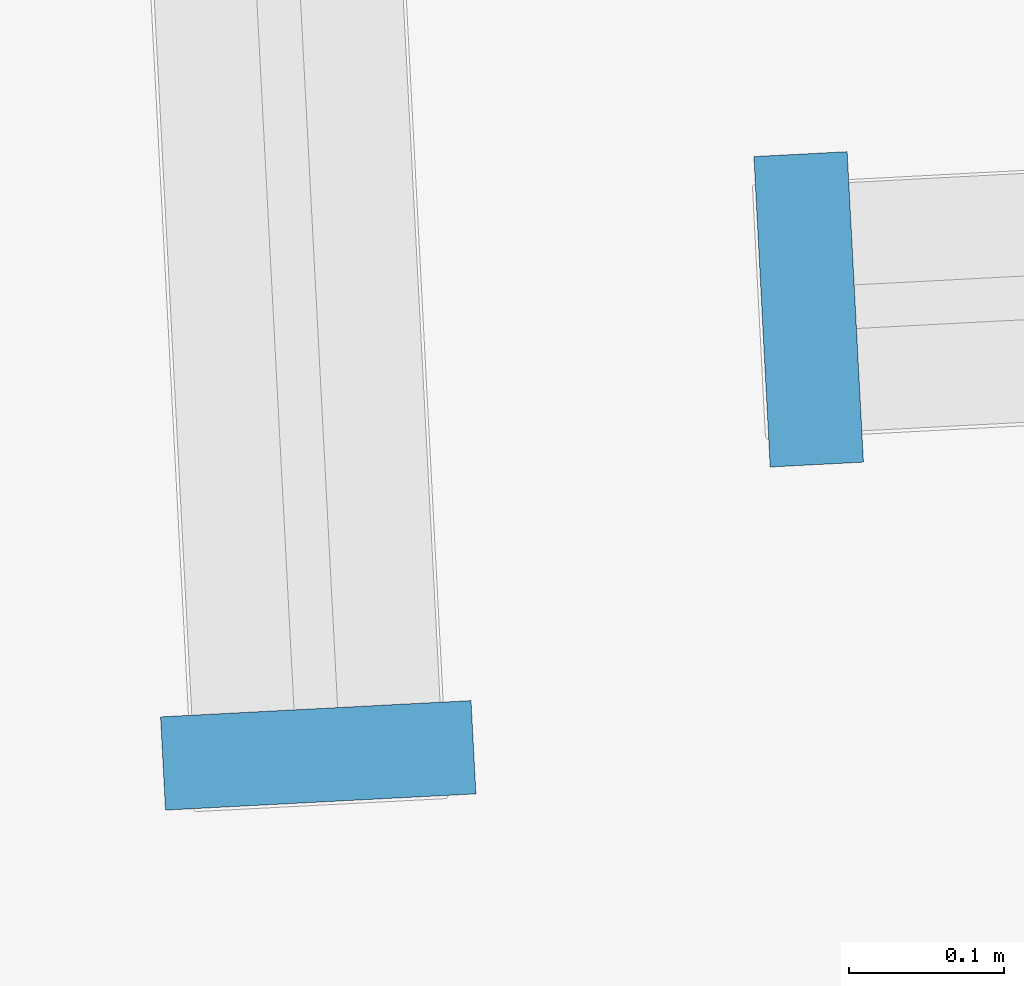
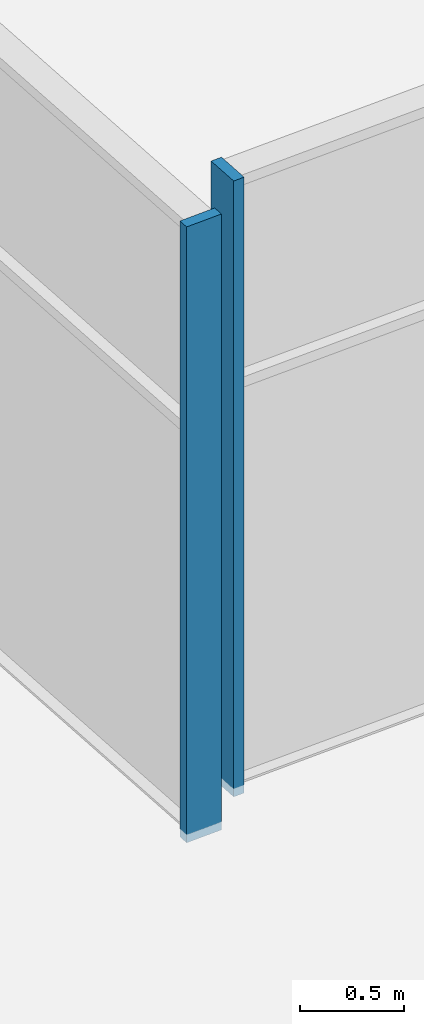
# One storey, part 2 of 12: 2 members, 2 elements without a shape of their own.
"""IFC4 building model written with IfcOpenShell, lengths in metres."""

from ifc_helpers import new_model, si_unit, direction, frame, origin, origin_2d, place, context, subcontext, project, spatial, rectangle, extrude, material, material_profile, profile_set, type_object, element, aggregate, save


model = new_model("IFC4")

# Units and contexts
model_context = context("Model", 3, precision=1e-05, world=origin(), true_north=direction((0.0, 1.0)))
body_context = subcontext(model_context, "Body", "Model", "MODEL_VIEW")
ifc_project = project(units=[si_unit("LENGTHUNIT", "METRE"), si_unit("AREAUNIT", "SQUARE_METRE"), si_unit("VOLUMEUNIT", "CUBIC_METRE"), si_unit("PLANEANGLEUNIT", "RADIAN"), si_unit("MASSUNIT", "GRAM", prefix="KILO")], contexts=[model_context])

# Site, building, storey
site_placement = place(None, origin())
site = spatial("IfcSite", under=ifc_project, at=site_placement, CompositionType="ELEMENT")
building_placement = place(site_placement, origin())
building = spatial("IfcBuilding", under=site, at=building_placement, Name="Dilmun Exchange Tower", CompositionType="ELEMENT")
storey_placement = place(building_placement, frame((0.0, 0.0, 217.300048828125)))
storey = spatial("IfcBuildingStorey", under=building, at=storey_placement, Name="L51", CompositionType="ELEMENT", Elevation=217.300048828125)

# Curtain wall, member
ifc_material_1 = material(Name="Anodised aluminium and clear glass", Category="aluminium")
curtain_wall_type = type_object("IfcCurtainWallType", Name="Garden corner glazing", PredefinedType="NOTDEFINED", material=ifc_material_1)
curtain_wall_1_placement = place(storey_placement, origin())
curtain_wall_1 = element("IfcCurtainWall", 1, at=curtain_wall_1_placement, inside=storey, type_object=curtain_wall_type, Name="Garden corner glazing run GC2.3", PredefinedType="NOTDEFINED")
ifc_material_2 = material(Name="Anodised aluminium", Category="aluminium")
ifc_material_profile = material_profile(ifc_material_2, rectangle(XDim=0.199951171875, YDim=0.06005859375, at=origin_2d()), Name="AL 60x200")
ifc_profile_set = profile_set([ifc_material_profile], Name="Anodised aluminium")
member_type = type_object("IfcMemberType", Name="Garden corner glazing mullion 60 x 200", PredefinedType="MULLION", material=ifc_profile_set)
member_1_placement = place(storey_placement, frame((-1.84375, 28.99853515625, 0.0), z_axis=(0.0, 0.0, 1.0), x_axis=(0.052330683595, -0.998629811068, 0.0)))
member_1 = element("IfcMember", 2, at=member_1_placement, type_object=member_type, Name="GC2.3 mullion 2", PredefinedType="MULLION", context=body_context, shape_type="SweptSolid", body=[
    extrude(rectangle(XDim=0.199951171875, YDim=0.06005859375, at=origin_2d()), origin(), (0.0, 0.0, 1.0), 3.619873046875),
])
aggregate(curtain_wall_1, [member_1])

curtain_wall_2_placement = place(storey_placement, origin())
curtain_wall_2 = element("IfcCurtainWall", 3, at=curtain_wall_2_placement, inside=storey, type_object=curtain_wall_type, Name="Garden corner glazing run GC3.1", PredefinedType="NOTDEFINED")
member_2_placement = place(storey_placement, frame((-2.1591796875, 28.711669921875, 0.0), z_axis=(0.0, 0.0, 1.0), x_axis=(-0.99862965596, -0.052333643452, 0.0)))
member_2 = element("IfcMember", 4, at=member_2_placement, type_object=member_type, Name="GC3.1 mullion 1", PredefinedType="MULLION", context=body_context, shape_type="SweptSolid", body=[
    extrude(rectangle(XDim=0.199951171875, YDim=0.06005859375, at=origin_2d()), origin(), (0.0, 0.0, 1.0), 3.619873046875),
])
aggregate(curtain_wall_2, [member_2])

save(model, "model.ifc")
